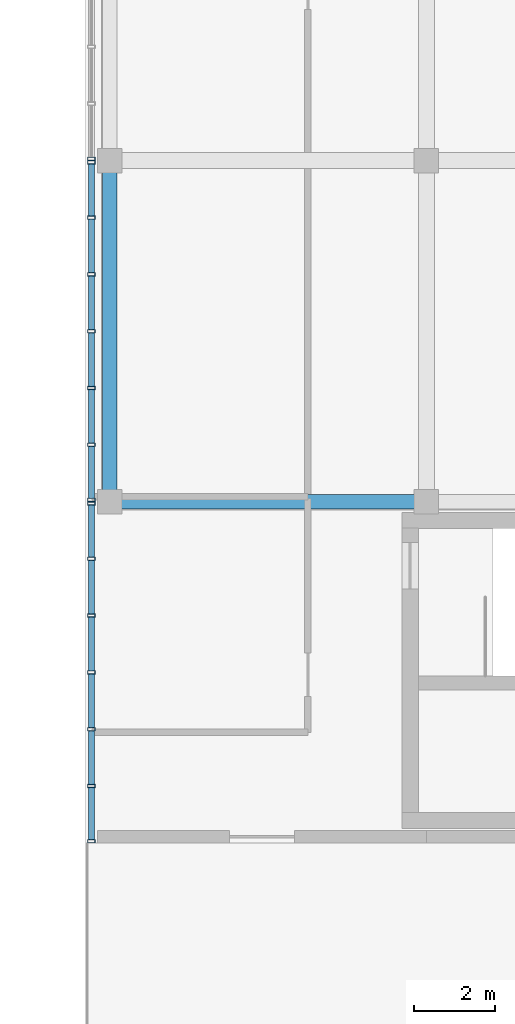
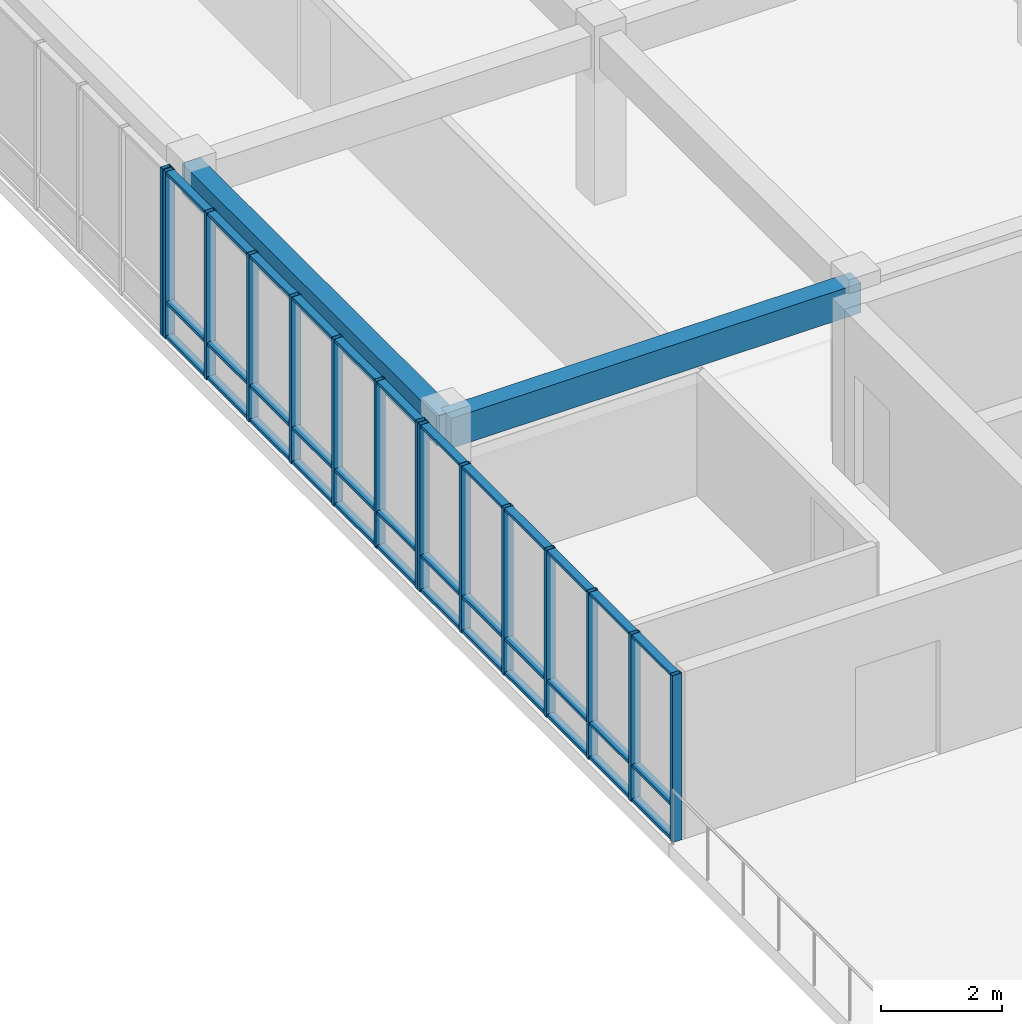
# One storey, part 26 of 144: 51 members, 2 beams, 3 elements without a shape of their own.
"""IFC4 building model written with IfcOpenShell, lengths in metres."""

from ifc_helpers import new_model, si_unit, direction, frame, origin, origin_2d, place, context, subcontext, project, spatial, rectangle, hollow_rectangle, extrude, material, layer, layer_set, material_profile, profile_set, type_object, element, aggregate, save


model = new_model("IFC4")

# Units and contexts
model_context = context("Model", 3, precision=1e-05, world=origin(), true_north=direction((0.0, 1.0)))
body_context = subcontext(model_context, "Body", "Model", "MODEL_VIEW")
ifc_project = project(units=[si_unit("LENGTHUNIT", "METRE"), si_unit("AREAUNIT", "SQUARE_METRE"), si_unit("VOLUMEUNIT", "CUBIC_METRE"), si_unit("PLANEANGLEUNIT", "RADIAN"), si_unit("MASSUNIT", "GRAM", prefix="KILO")], contexts=[model_context])

# Site, building, storey
site_placement = place(None, origin())
site = spatial("IfcSite", under=ifc_project, at=site_placement, CompositionType="ELEMENT")
building_placement = place(site_placement, origin())
building = spatial("IfcBuilding", under=site, at=building_placement, Name="Zayran Congress Hotel", CompositionType="ELEMENT")
storey_placement = place(building_placement, frame((0.0, 0.0, 19.199951171875)))
storey = spatial("IfcBuildingStorey", under=building, at=storey_placement, Name="L04", CompositionType="ELEMENT", Elevation=19.199951171875)

# Beams
ifc_material_1 = material(Name="Concrete C40/50", Category="concrete")
ifc_material_profile_1 = material_profile(ifc_material_1, rectangle(XDim=0.35009765625, YDim=0.60009765625, at=origin_2d()), Name="RC 350x600")
ifc_profile_set_1 = profile_set([ifc_material_profile_1], Name="Concrete C40/50")
beam_type = type_object("IfcBeamType", Name="TP-SP-01", PredefinedType="SPANDREL", material=ifc_profile_set_1)
beam_1_placement = place(storey_placement, frame((109.800048828125, 59.199951171875, 3.06005859375), z_axis=(1.0, 0.0, 0.0), x_axis=(0.0, 1.0, 0.0)))
element("IfcBeam", 1, at=beam_1_placement, inside=storey, type_object=beam_type, Name="BM-V4-L04-1560", PredefinedType="SPANDREL", context=body_context, shape_type="SweptSolid", body=[
    extrude(rectangle(XDim=0.35009765625, YDim=0.60009765625, at=origin_2d()), origin(), (0.0, 0.0, 1.0), 7.800048828125),
])
beam_2_placement = place(storey_placement, frame((109.800048828125, 59.199951171875, 3.06005859375), z_axis=(0.0, 1.0, 0.0), x_axis=(-1.0, 0.0, 0.0)))
element("IfcBeam", 2, at=beam_2_placement, inside=storey, type_object=beam_type, Name="BM-V4-L04-1572", PredefinedType="SPANDREL", context=body_context, shape_type="SweptSolid", body=[
    extrude(rectangle(XDim=0.35009765625, YDim=0.60009765625, at=origin_2d()), origin(), (0.0, 0.0, 1.0), 8.400146484375),
])

# Curtain wall, members
ifc_material_2 = material(Name="Anodised aluminium and low-E insulated glass", Category="aluminium")
ifc_layer_1 = layer(ifc_material_2, 0.179931640625)
ifc_layer_set_1 = layer_set([ifc_layer_1], Name="Anodised aluminium and low-E insulated glass")
curtain_wall_type_1 = type_object("IfcCurtainWallType", Name="CW-V4W-L04-CW-51-8395-3360", PredefinedType="USERDEFINED", material=ifc_layer_set_1)
curtain_wall_1_placement = place(storey_placement, origin())
curtain_wall_1 = element("IfcCurtainWall", 3, at=curtain_wall_1_placement, inside=storey, type_object=curtain_wall_type_1, Name="CW-V4W-L04-0", ObjectType="CURTAIN WALL", PredefinedType="USERDEFINED")
ifc_material_3 = material(Name="Anodised aluminium framing", Category="aluminium")
ifc_material_profile_2 = material_profile(ifc_material_3, hollow_rectangle(XDim=0.080078125, YDim=0.179931640625, WallThickness=0.0048828125, at=origin_2d()), Name="RHS 180x80x5")
ifc_profile_set_2 = profile_set([ifc_material_profile_2], Name="Anodised aluminium framing")
member_type_1 = type_object("IfcMemberType", Name="TP-CWM-01", PredefinedType="MULLION", material=ifc_profile_set_2)
member_1_placement = place(storey_placement, frame((109.35009765625, 59.155029296875, 0.0), z_axis=(0.0, 0.0, 1.0), x_axis=(0.0, 1.0, 0.0)))
member_1 = element("IfcMember", 4, at=member_1_placement, type_object=member_type_1, Name="CW-V4W-L04-0-M00", PredefinedType="MULLION", context=body_context, shape_type="SweptSolid", body=[
    extrude(hollow_rectangle(XDim=0.080078125, YDim=0.179931640625, WallThickness=0.0048828125, at=origin_2d()), origin(), (0.0, 0.0, 1.0), 3.360107421875),
])
member_2_placement = place(storey_placement, frame((109.35009765625, 57.7958984375, 0.0), z_axis=(0.0, 0.0, 1.0), x_axis=(0.0, 1.0, 0.0)))
member_2 = element("IfcMember", 5, at=member_2_placement, type_object=member_type_1, Name="CW-V4W-L04-0-M01", PredefinedType="MULLION", context=body_context, shape_type="SweptSolid", body=[
    extrude(hollow_rectangle(XDim=0.080078125, YDim=0.179931640625, WallThickness=0.0048828125, at=origin_2d()), origin(), (0.0, 0.0, 1.0), 3.360107421875),
])
member_3_placement = place(storey_placement, frame((109.35009765625, 56.396728515625, 0.0), z_axis=(0.0, 0.0, 1.0), x_axis=(0.0, 1.0, 0.0)))
member_3 = element("IfcMember", 6, at=member_3_placement, type_object=member_type_1, Name="CW-V4W-L04-0-M02", PredefinedType="MULLION", context=body_context, shape_type="SweptSolid", body=[
    extrude(hollow_rectangle(XDim=0.080078125, YDim=0.179931640625, WallThickness=0.0048828125, at=origin_2d()), origin(), (0.0, 0.0, 1.0), 3.360107421875),
])
member_4_placement = place(storey_placement, frame((109.35009765625, 54.99755859375, 0.0), z_axis=(0.0, 0.0, 1.0), x_axis=(0.0, 1.0, 0.0)))
member_4 = element("IfcMember", 7, at=member_4_placement, type_object=member_type_1, Name="CW-V4W-L04-0-M03", PredefinedType="MULLION", context=body_context, shape_type="SweptSolid", body=[
    extrude(hollow_rectangle(XDim=0.080078125, YDim=0.179931640625, WallThickness=0.0048828125, at=origin_2d()), origin(), (0.0, 0.0, 1.0), 3.360107421875),
])
member_5_placement = place(storey_placement, frame((109.35009765625, 53.598388671875, 0.0), z_axis=(0.0, 0.0, 1.0), x_axis=(0.0, 1.0, 0.0)))
member_5 = element("IfcMember", 8, at=member_5_placement, type_object=member_type_1, Name="CW-V4W-L04-0-M04", PredefinedType="MULLION", context=body_context, shape_type="SweptSolid", body=[
    extrude(hollow_rectangle(XDim=0.080078125, YDim=0.179931640625, WallThickness=0.0048828125, at=origin_2d()), origin(), (0.0, 0.0, 1.0), 3.360107421875),
])
member_6_placement = place(storey_placement, frame((109.35009765625, 52.19921875, 0.0), z_axis=(0.0, 0.0, 1.0), x_axis=(0.0, 1.0, 0.0)))
member_6 = element("IfcMember", 9, at=member_6_placement, type_object=member_type_1, Name="CW-V4W-L04-0-M05", PredefinedType="MULLION", context=body_context, shape_type="SweptSolid", body=[
    extrude(hollow_rectangle(XDim=0.080078125, YDim=0.179931640625, WallThickness=0.0048828125, at=origin_2d()), origin(), (0.0, 0.0, 1.0), 3.360107421875),
])
member_7_placement = place(storey_placement, frame((109.35009765625, 50.840087890625, 0.0), z_axis=(0.0, 0.0, 1.0), x_axis=(0.0, 1.0, 0.0)))
member_7 = element("IfcMember", 10, at=member_7_placement, type_object=member_type_1, Name="CW-V4W-L04-0-M06", PredefinedType="MULLION", context=body_context, shape_type="SweptSolid", body=[
    extrude(hollow_rectangle(XDim=0.080078125, YDim=0.179931640625, WallThickness=0.0048828125, at=origin_2d()), origin(), (0.0, 0.0, 1.0), 3.360107421875),
])

ifc_layer_2 = layer(ifc_material_2, 0.179931640625)
ifc_layer_set_2 = layer_set([ifc_layer_2], Name="Anodised aluminium and low-E insulated glass")
curtain_wall_type_2 = type_object("IfcCurtainWallType", Name="CW-V4W-L04-CW-52-8390-3360", PredefinedType="USERDEFINED", material=ifc_layer_set_2)
curtain_wall_2_placement = place(storey_placement, origin())
curtain_wall_2 = element("IfcCurtainWall", 11, at=curtain_wall_2_placement, inside=storey, type_object=curtain_wall_type_2, Name="CW-V4W-L04-1", ObjectType="CURTAIN WALL", PredefinedType="USERDEFINED")
member_8_placement = place(storey_placement, frame((109.35009765625, 67.554931640625, 0.0), z_axis=(0.0, 0.0, 1.0), x_axis=(0.0, 1.0, 0.0)))
member_8 = element("IfcMember", 12, at=member_8_placement, type_object=member_type_1, Name="CW-V4W-L04-1-M00", PredefinedType="MULLION", context=body_context, shape_type="SweptSolid", body=[
    extrude(hollow_rectangle(XDim=0.080078125, YDim=0.179931640625, WallThickness=0.0048828125, at=origin_2d()), origin(), (0.0, 0.0, 1.0), 3.360107421875),
])
member_9_placement = place(storey_placement, frame((109.35009765625, 66.19677734375, 0.0), z_axis=(0.0, 0.0, 1.0), x_axis=(0.0, 1.0, 0.0)))
member_9 = element("IfcMember", 13, at=member_9_placement, type_object=member_type_1, Name="CW-V4W-L04-1-M01", PredefinedType="MULLION", context=body_context, shape_type="SweptSolid", body=[
    extrude(hollow_rectangle(XDim=0.080078125, YDim=0.179931640625, WallThickness=0.0048828125, at=origin_2d()), origin(), (0.0, 0.0, 1.0), 3.360107421875),
])
member_10_placement = place(storey_placement, frame((109.35009765625, 64.79833984375, 0.0), z_axis=(0.0, 0.0, 1.0), x_axis=(0.0, 1.0, 0.0)))
member_10 = element("IfcMember", 14, at=member_10_placement, type_object=member_type_1, Name="CW-V4W-L04-1-M02", PredefinedType="MULLION", context=body_context, shape_type="SweptSolid", body=[
    extrude(hollow_rectangle(XDim=0.080078125, YDim=0.179931640625, WallThickness=0.0048828125, at=origin_2d()), origin(), (0.0, 0.0, 1.0), 3.360107421875),
])
member_11_placement = place(storey_placement, frame((109.35009765625, 63.39990234375, 0.0), z_axis=(0.0, 0.0, 1.0), x_axis=(0.0, 1.0, 0.0)))
member_11 = element("IfcMember", 15, at=member_11_placement, type_object=member_type_1, Name="CW-V4W-L04-1-M03", PredefinedType="MULLION", context=body_context, shape_type="SweptSolid", body=[
    extrude(hollow_rectangle(XDim=0.080078125, YDim=0.179931640625, WallThickness=0.0048828125, at=origin_2d()), origin(), (0.0, 0.0, 1.0), 3.360107421875),
])
member_12_placement = place(storey_placement, frame((109.35009765625, 62.001708984375, 0.0), z_axis=(0.0, 0.0, 1.0), x_axis=(0.0, 1.0, 0.0)))
member_12 = element("IfcMember", 16, at=member_12_placement, type_object=member_type_1, Name="CW-V4W-L04-1-M04", PredefinedType="MULLION", context=body_context, shape_type="SweptSolid", body=[
    extrude(hollow_rectangle(XDim=0.080078125, YDim=0.179931640625, WallThickness=0.0048828125, at=origin_2d()), origin(), (0.0, 0.0, 1.0), 3.360107421875),
])
member_13_placement = place(storey_placement, frame((109.35009765625, 60.603271484375, 0.0), z_axis=(0.0, 0.0, 1.0), x_axis=(0.0, 1.0, 0.0)))
member_13 = element("IfcMember", 17, at=member_13_placement, type_object=member_type_1, Name="CW-V4W-L04-1-M05", PredefinedType="MULLION", context=body_context, shape_type="SweptSolid", body=[
    extrude(hollow_rectangle(XDim=0.080078125, YDim=0.179931640625, WallThickness=0.0048828125, at=origin_2d()), origin(), (0.0, 0.0, 1.0), 3.360107421875),
])
member_14_placement = place(storey_placement, frame((109.35009765625, 59.2451171875, 0.0), z_axis=(0.0, 0.0, 1.0), x_axis=(0.0, 1.0, 0.0)))
member_14 = element("IfcMember", 18, at=member_14_placement, type_object=member_type_1, Name="CW-V4W-L04-1-M06", PredefinedType="MULLION", context=body_context, shape_type="SweptSolid", body=[
    extrude(hollow_rectangle(XDim=0.080078125, YDim=0.179931640625, WallThickness=0.0048828125, at=origin_2d()), origin(), (0.0, 0.0, 1.0), 3.360107421875),
])

# Curtain wall, member
ifc_layer_3 = layer(ifc_material_2, 0.179931640625)
ifc_layer_set_3 = layer_set([ifc_layer_3], Name="Anodised aluminium and low-E insulated glass")
curtain_wall_type_3 = type_object("IfcCurtainWallType", Name="CW-V4W-L04-CW-53-8390-3360", PredefinedType="USERDEFINED", material=ifc_layer_set_3)
curtain_wall_3_placement = place(storey_placement, origin())
curtain_wall_3 = element("IfcCurtainWall", 19, at=curtain_wall_3_placement, inside=storey, type_object=curtain_wall_type_3, Name="CW-V4W-L04-2", ObjectType="CURTAIN WALL", PredefinedType="USERDEFINED")
member_15_placement = place(storey_placement, frame((109.35009765625, 67.64501953125, 0.0), z_axis=(0.0, 0.0, 1.0), x_axis=(0.0, 1.0, 0.0)))
member_15 = element("IfcMember", 20, at=member_15_placement, type_object=member_type_1, Name="CW-V4W-L04-2-M06", PredefinedType="MULLION", context=body_context, shape_type="SweptSolid", body=[
    extrude(hollow_rectangle(XDim=0.080078125, YDim=0.179931640625, WallThickness=0.0048828125, at=origin_2d()), origin(), (0.0, 0.0, 1.0), 3.360107421875),
])
aggregate(curtain_wall_3, [member_15])

# Member
ifc_material_profile_3 = material_profile(ifc_material_3, hollow_rectangle(XDim=0.06005859375, YDim=0.14990234375, WallThickness=0.00390625, at=origin_2d()), Name="RHS 150x60x4")
ifc_profile_set_3 = profile_set([ifc_material_profile_3], Name="Anodised aluminium framing")
member_type_2 = type_object("IfcMemberType", Name="TP-CWT-01", PredefinedType="USERDEFINED", material=ifc_profile_set_3)
member_16_placement = place(storey_placement, frame((109.35009765625, 59.114990234375, 0.030029296875), z_axis=(0.0, -1.0, 0.0), x_axis=(0.0, 0.0, 1.0)))
member_16 = element("IfcMember", 21, at=member_16_placement, type_object=member_type_2, Name="CW-V4W-L04-0-T00-0", ObjectType="TRANSOM", PredefinedType="USERDEFINED", context=body_context, shape_type="SweptSolid", body=[
    extrude(hollow_rectangle(XDim=0.06005859375, YDim=0.14990234375, WallThickness=0.00390625, at=origin_2d()), origin(), (0.0, 0.0, 1.0), 1.279296875),
])

member_17_placement = place(storey_placement, frame((109.35009765625, 59.114990234375, 0.719970703125), z_axis=(0.0, -1.0, 0.0), x_axis=(0.0, 0.0, 1.0)))
member_17 = element("IfcMember", 22, at=member_17_placement, type_object=member_type_2, Name="CW-V4W-L04-0-T00-1", ObjectType="TRANSOM", PredefinedType="USERDEFINED", context=body_context, shape_type="SweptSolid", body=[
    extrude(hollow_rectangle(XDim=0.06005859375, YDim=0.14990234375, WallThickness=0.00390625, at=origin_2d()), origin(), (0.0, 0.0, 1.0), 1.279296875),
])

member_18_placement = place(storey_placement, frame((109.35009765625, 59.114990234375, 3.330078125), z_axis=(0.0, -1.0, 0.0), x_axis=(0.0, 0.0, 1.0)))
member_18 = element("IfcMember", 23, at=member_18_placement, type_object=member_type_2, Name="CW-V4W-L04-0-T00-2", ObjectType="TRANSOM", PredefinedType="USERDEFINED", context=body_context, shape_type="SweptSolid", body=[
    extrude(hollow_rectangle(XDim=0.06005859375, YDim=0.14990234375, WallThickness=0.00390625, at=origin_2d()), origin(), (0.0, 0.0, 1.0), 1.279296875),
])

member_19_placement = place(storey_placement, frame((109.35009765625, 57.755859375, 0.030029296875), z_axis=(0.0, -1.0, 0.0), x_axis=(0.0, 0.0, 1.0)))
member_19 = element("IfcMember", 24, at=member_19_placement, type_object=member_type_2, Name="CW-V4W-L04-0-T01-0", ObjectType="TRANSOM", PredefinedType="USERDEFINED", context=body_context, shape_type="SweptSolid", body=[
    extrude(hollow_rectangle(XDim=0.06005859375, YDim=0.14990234375, WallThickness=0.00390625, at=origin_2d()), origin(), (0.0, 0.0, 1.0), 1.319091796875),
])

member_20_placement = place(storey_placement, frame((109.35009765625, 57.755859375, 0.719970703125), z_axis=(0.0, -1.0, 0.0), x_axis=(0.0, 0.0, 1.0)))
member_20 = element("IfcMember", 25, at=member_20_placement, type_object=member_type_2, Name="CW-V4W-L04-0-T01-1", ObjectType="TRANSOM", PredefinedType="USERDEFINED", context=body_context, shape_type="SweptSolid", body=[
    extrude(hollow_rectangle(XDim=0.06005859375, YDim=0.14990234375, WallThickness=0.00390625, at=origin_2d()), origin(), (0.0, 0.0, 1.0), 1.319091796875),
])

member_21_placement = place(storey_placement, frame((109.35009765625, 57.755859375, 3.330078125), z_axis=(0.0, -1.0, 0.0), x_axis=(0.0, 0.0, 1.0)))
member_21 = element("IfcMember", 26, at=member_21_placement, type_object=member_type_2, Name="CW-V4W-L04-0-T01-2", ObjectType="TRANSOM", PredefinedType="USERDEFINED", context=body_context, shape_type="SweptSolid", body=[
    extrude(hollow_rectangle(XDim=0.06005859375, YDim=0.14990234375, WallThickness=0.00390625, at=origin_2d()), origin(), (0.0, 0.0, 1.0), 1.319091796875),
])

member_22_placement = place(storey_placement, frame((109.35009765625, 56.356689453125, 0.030029296875), z_axis=(0.0, -1.0, 0.0), x_axis=(0.0, 0.0, 1.0)))
member_22 = element("IfcMember", 27, at=member_22_placement, type_object=member_type_2, Name="CW-V4W-L04-0-T02-0", ObjectType="TRANSOM", PredefinedType="USERDEFINED", context=body_context, shape_type="SweptSolid", body=[
    extrude(hollow_rectangle(XDim=0.06005859375, YDim=0.14990234375, WallThickness=0.00390625, at=origin_2d()), origin(), (0.0, 0.0, 1.0), 1.319091796875),
])

member_23_placement = place(storey_placement, frame((109.35009765625, 56.356689453125, 0.719970703125), z_axis=(0.0, -1.0, 0.0), x_axis=(0.0, 0.0, 1.0)))
member_23 = element("IfcMember", 28, at=member_23_placement, type_object=member_type_2, Name="CW-V4W-L04-0-T02-1", ObjectType="TRANSOM", PredefinedType="USERDEFINED", context=body_context, shape_type="SweptSolid", body=[
    extrude(hollow_rectangle(XDim=0.06005859375, YDim=0.14990234375, WallThickness=0.00390625, at=origin_2d()), origin(), (0.0, 0.0, 1.0), 1.319091796875),
])

member_24_placement = place(storey_placement, frame((109.35009765625, 56.356689453125, 3.330078125), z_axis=(0.0, -1.0, 0.0), x_axis=(0.0, 0.0, 1.0)))
member_24 = element("IfcMember", 29, at=member_24_placement, type_object=member_type_2, Name="CW-V4W-L04-0-T02-2", ObjectType="TRANSOM", PredefinedType="USERDEFINED", context=body_context, shape_type="SweptSolid", body=[
    extrude(hollow_rectangle(XDim=0.06005859375, YDim=0.14990234375, WallThickness=0.00390625, at=origin_2d()), origin(), (0.0, 0.0, 1.0), 1.319091796875),
])

member_25_placement = place(storey_placement, frame((109.35009765625, 54.95751953125, 0.030029296875), z_axis=(0.0, -1.0, 0.0), x_axis=(0.0, 0.0, 1.0)))
member_25 = element("IfcMember", 30, at=member_25_placement, type_object=member_type_2, Name="CW-V4W-L04-0-T03-0", ObjectType="TRANSOM", PredefinedType="USERDEFINED", context=body_context, shape_type="SweptSolid", body=[
    extrude(hollow_rectangle(XDim=0.06005859375, YDim=0.14990234375, WallThickness=0.00390625, at=origin_2d()), origin(), (0.0, 0.0, 1.0), 1.3193359375),
])

member_26_placement = place(storey_placement, frame((109.35009765625, 54.95751953125, 0.719970703125), z_axis=(0.0, -1.0, 0.0), x_axis=(0.0, 0.0, 1.0)))
member_26 = element("IfcMember", 31, at=member_26_placement, type_object=member_type_2, Name="CW-V4W-L04-0-T03-1", ObjectType="TRANSOM", PredefinedType="USERDEFINED", context=body_context, shape_type="SweptSolid", body=[
    extrude(hollow_rectangle(XDim=0.06005859375, YDim=0.14990234375, WallThickness=0.00390625, at=origin_2d()), origin(), (0.0, 0.0, 1.0), 1.3193359375),
])

member_27_placement = place(storey_placement, frame((109.35009765625, 54.95751953125, 3.330078125), z_axis=(0.0, -1.0, 0.0), x_axis=(0.0, 0.0, 1.0)))
member_27 = element("IfcMember", 32, at=member_27_placement, type_object=member_type_2, Name="CW-V4W-L04-0-T03-2", ObjectType="TRANSOM", PredefinedType="USERDEFINED", context=body_context, shape_type="SweptSolid", body=[
    extrude(hollow_rectangle(XDim=0.06005859375, YDim=0.14990234375, WallThickness=0.00390625, at=origin_2d()), origin(), (0.0, 0.0, 1.0), 1.3193359375),
])

member_28_placement = place(storey_placement, frame((109.35009765625, 53.558349609375, 0.030029296875), z_axis=(0.0, -1.0, 0.0), x_axis=(0.0, 0.0, 1.0)))
member_28 = element("IfcMember", 33, at=member_28_placement, type_object=member_type_2, Name="CW-V4W-L04-0-T04-0", ObjectType="TRANSOM", PredefinedType="USERDEFINED", context=body_context, shape_type="SweptSolid", body=[
    extrude(hollow_rectangle(XDim=0.06005859375, YDim=0.14990234375, WallThickness=0.00390625, at=origin_2d()), origin(), (0.0, 0.0, 1.0), 1.319091796875),
])

member_29_placement = place(storey_placement, frame((109.35009765625, 53.558349609375, 0.719970703125), z_axis=(0.0, -1.0, 0.0), x_axis=(0.0, 0.0, 1.0)))
member_29 = element("IfcMember", 34, at=member_29_placement, type_object=member_type_2, Name="CW-V4W-L04-0-T04-1", ObjectType="TRANSOM", PredefinedType="USERDEFINED", context=body_context, shape_type="SweptSolid", body=[
    extrude(hollow_rectangle(XDim=0.06005859375, YDim=0.14990234375, WallThickness=0.00390625, at=origin_2d()), origin(), (0.0, 0.0, 1.0), 1.319091796875),
])

member_30_placement = place(storey_placement, frame((109.35009765625, 53.558349609375, 3.330078125), z_axis=(0.0, -1.0, 0.0), x_axis=(0.0, 0.0, 1.0)))
member_30 = element("IfcMember", 35, at=member_30_placement, type_object=member_type_2, Name="CW-V4W-L04-0-T04-2", ObjectType="TRANSOM", PredefinedType="USERDEFINED", context=body_context, shape_type="SweptSolid", body=[
    extrude(hollow_rectangle(XDim=0.06005859375, YDim=0.14990234375, WallThickness=0.00390625, at=origin_2d()), origin(), (0.0, 0.0, 1.0), 1.319091796875),
])

member_31_placement = place(storey_placement, frame((109.35009765625, 52.1591796875, 0.030029296875), z_axis=(0.0, -1.0, 0.0), x_axis=(0.0, 0.0, 1.0)))
member_31 = element("IfcMember", 36, at=member_31_placement, type_object=member_type_2, Name="CW-V4W-L04-0-T05-0", ObjectType="TRANSOM", PredefinedType="USERDEFINED", context=body_context, shape_type="SweptSolid", body=[
    extrude(hollow_rectangle(XDim=0.06005859375, YDim=0.14990234375, WallThickness=0.00390625, at=origin_2d()), origin(), (0.0, 0.0, 1.0), 1.279296875),
])

member_32_placement = place(storey_placement, frame((109.35009765625, 52.1591796875, 0.719970703125), z_axis=(0.0, -1.0, 0.0), x_axis=(0.0, 0.0, 1.0)))
member_32 = element("IfcMember", 37, at=member_32_placement, type_object=member_type_2, Name="CW-V4W-L04-0-T05-1", ObjectType="TRANSOM", PredefinedType="USERDEFINED", context=body_context, shape_type="SweptSolid", body=[
    extrude(hollow_rectangle(XDim=0.06005859375, YDim=0.14990234375, WallThickness=0.00390625, at=origin_2d()), origin(), (0.0, 0.0, 1.0), 1.279296875),
])

member_33_placement = place(storey_placement, frame((109.35009765625, 52.1591796875, 3.330078125), z_axis=(0.0, -1.0, 0.0), x_axis=(0.0, 0.0, 1.0)))
member_33 = element("IfcMember", 38, at=member_33_placement, type_object=member_type_2, Name="CW-V4W-L04-0-T05-2", ObjectType="TRANSOM", PredefinedType="USERDEFINED", context=body_context, shape_type="SweptSolid", body=[
    extrude(hollow_rectangle(XDim=0.06005859375, YDim=0.14990234375, WallThickness=0.00390625, at=origin_2d()), origin(), (0.0, 0.0, 1.0), 1.279296875),
])

aggregate(curtain_wall_1, [member_1, member_2, member_3, member_4, member_5, member_6, member_7, member_16, member_17, member_18, member_19, member_20, member_21, member_22, member_23, member_24, member_25, member_26, member_27, member_28, member_29, member_30, member_31, member_32, member_33])

member_34_placement = place(storey_placement, frame((109.35009765625, 67.514892578125, 0.030029296875), z_axis=(0.0, -1.0, 0.0), x_axis=(0.0, 0.0, 1.0)))
member_34 = element("IfcMember", 39, at=member_34_placement, type_object=member_type_2, Name="CW-V4W-L04-1-T00-0", ObjectType="TRANSOM", PredefinedType="USERDEFINED", context=body_context, shape_type="SweptSolid", body=[
    extrude(hollow_rectangle(XDim=0.06005859375, YDim=0.14990234375, WallThickness=0.00390625, at=origin_2d()), origin(), (0.0, 0.0, 1.0), 1.278076171875),
])

member_35_placement = place(storey_placement, frame((109.35009765625, 67.514892578125, 0.719970703125), z_axis=(0.0, -1.0, 0.0), x_axis=(0.0, 0.0, 1.0)))
member_35 = element("IfcMember", 40, at=member_35_placement, type_object=member_type_2, Name="CW-V4W-L04-1-T00-1", ObjectType="TRANSOM", PredefinedType="USERDEFINED", context=body_context, shape_type="SweptSolid", body=[
    extrude(hollow_rectangle(XDim=0.06005859375, YDim=0.14990234375, WallThickness=0.00390625, at=origin_2d()), origin(), (0.0, 0.0, 1.0), 1.278076171875),
])

member_36_placement = place(storey_placement, frame((109.35009765625, 67.514892578125, 3.330078125), z_axis=(0.0, -1.0, 0.0), x_axis=(0.0, 0.0, 1.0)))
member_36 = element("IfcMember", 41, at=member_36_placement, type_object=member_type_2, Name="CW-V4W-L04-1-T00-2", ObjectType="TRANSOM", PredefinedType="USERDEFINED", context=body_context, shape_type="SweptSolid", body=[
    extrude(hollow_rectangle(XDim=0.06005859375, YDim=0.14990234375, WallThickness=0.00390625, at=origin_2d()), origin(), (0.0, 0.0, 1.0), 1.278076171875),
])

member_37_placement = place(storey_placement, frame((109.35009765625, 66.15673828125, 0.030029296875), z_axis=(0.0, -1.0, 0.0), x_axis=(0.0, 0.0, 1.0)))
member_37 = element("IfcMember", 42, at=member_37_placement, type_object=member_type_2, Name="CW-V4W-L04-1-T01-0", ObjectType="TRANSOM", PredefinedType="USERDEFINED", context=body_context, shape_type="SweptSolid", body=[
    extrude(hollow_rectangle(XDim=0.06005859375, YDim=0.14990234375, WallThickness=0.00390625, at=origin_2d()), origin(), (0.0, 0.0, 1.0), 1.318359375),
])

member_38_placement = place(storey_placement, frame((109.35009765625, 66.15673828125, 0.719970703125), z_axis=(0.0, -1.0, 0.0), x_axis=(0.0, 0.0, 1.0)))
member_38 = element("IfcMember", 43, at=member_38_placement, type_object=member_type_2, Name="CW-V4W-L04-1-T01-1", ObjectType="TRANSOM", PredefinedType="USERDEFINED", context=body_context, shape_type="SweptSolid", body=[
    extrude(hollow_rectangle(XDim=0.06005859375, YDim=0.14990234375, WallThickness=0.00390625, at=origin_2d()), origin(), (0.0, 0.0, 1.0), 1.318359375),
])

member_39_placement = place(storey_placement, frame((109.35009765625, 66.15673828125, 3.330078125), z_axis=(0.0, -1.0, 0.0), x_axis=(0.0, 0.0, 1.0)))
member_39 = element("IfcMember", 44, at=member_39_placement, type_object=member_type_2, Name="CW-V4W-L04-1-T01-2", ObjectType="TRANSOM", PredefinedType="USERDEFINED", context=body_context, shape_type="SweptSolid", body=[
    extrude(hollow_rectangle(XDim=0.06005859375, YDim=0.14990234375, WallThickness=0.00390625, at=origin_2d()), origin(), (0.0, 0.0, 1.0), 1.318359375),
])

member_40_placement = place(storey_placement, frame((109.35009765625, 64.75830078125, 0.030029296875), z_axis=(0.0, -1.0, 0.0), x_axis=(0.0, 0.0, 1.0)))
member_40 = element("IfcMember", 45, at=member_40_placement, type_object=member_type_2, Name="CW-V4W-L04-1-T02-0", ObjectType="TRANSOM", PredefinedType="USERDEFINED", context=body_context, shape_type="SweptSolid", body=[
    extrude(hollow_rectangle(XDim=0.06005859375, YDim=0.14990234375, WallThickness=0.00390625, at=origin_2d()), origin(), (0.0, 0.0, 1.0), 1.318359375),
])

member_41_placement = place(storey_placement, frame((109.35009765625, 64.75830078125, 0.719970703125), z_axis=(0.0, -1.0, 0.0), x_axis=(0.0, 0.0, 1.0)))
member_41 = element("IfcMember", 46, at=member_41_placement, type_object=member_type_2, Name="CW-V4W-L04-1-T02-1", ObjectType="TRANSOM", PredefinedType="USERDEFINED", context=body_context, shape_type="SweptSolid", body=[
    extrude(hollow_rectangle(XDim=0.06005859375, YDim=0.14990234375, WallThickness=0.00390625, at=origin_2d()), origin(), (0.0, 0.0, 1.0), 1.318359375),
])

member_42_placement = place(storey_placement, frame((109.35009765625, 64.75830078125, 3.330078125), z_axis=(0.0, -1.0, 0.0), x_axis=(0.0, 0.0, 1.0)))
member_42 = element("IfcMember", 47, at=member_42_placement, type_object=member_type_2, Name="CW-V4W-L04-1-T02-2", ObjectType="TRANSOM", PredefinedType="USERDEFINED", context=body_context, shape_type="SweptSolid", body=[
    extrude(hollow_rectangle(XDim=0.06005859375, YDim=0.14990234375, WallThickness=0.00390625, at=origin_2d()), origin(), (0.0, 0.0, 1.0), 1.318359375),
])

member_43_placement = place(storey_placement, frame((109.35009765625, 63.360107421875, 0.030029296875), z_axis=(0.0, -1.0, 0.0), x_axis=(0.0, 0.0, 1.0)))
member_43 = element("IfcMember", 48, at=member_43_placement, type_object=member_type_2, Name="CW-V4W-L04-1-T03-0", ObjectType="TRANSOM", PredefinedType="USERDEFINED", context=body_context, shape_type="SweptSolid", body=[
    extrude(hollow_rectangle(XDim=0.06005859375, YDim=0.14990234375, WallThickness=0.00390625, at=origin_2d()), origin(), (0.0, 0.0, 1.0), 1.318359375),
])

member_44_placement = place(storey_placement, frame((109.35009765625, 63.360107421875, 0.719970703125), z_axis=(0.0, -1.0, 0.0), x_axis=(0.0, 0.0, 1.0)))
member_44 = element("IfcMember", 49, at=member_44_placement, type_object=member_type_2, Name="CW-V4W-L04-1-T03-1", ObjectType="TRANSOM", PredefinedType="USERDEFINED", context=body_context, shape_type="SweptSolid", body=[
    extrude(hollow_rectangle(XDim=0.06005859375, YDim=0.14990234375, WallThickness=0.00390625, at=origin_2d()), origin(), (0.0, 0.0, 1.0), 1.318359375),
])

member_45_placement = place(storey_placement, frame((109.35009765625, 63.360107421875, 3.330078125), z_axis=(0.0, -1.0, 0.0), x_axis=(0.0, 0.0, 1.0)))
member_45 = element("IfcMember", 50, at=member_45_placement, type_object=member_type_2, Name="CW-V4W-L04-1-T03-2", ObjectType="TRANSOM", PredefinedType="USERDEFINED", context=body_context, shape_type="SweptSolid", body=[
    extrude(hollow_rectangle(XDim=0.06005859375, YDim=0.14990234375, WallThickness=0.00390625, at=origin_2d()), origin(), (0.0, 0.0, 1.0), 1.318359375),
])

member_46_placement = place(storey_placement, frame((109.35009765625, 61.961669921875, 0.030029296875), z_axis=(0.0, -1.0, 0.0), x_axis=(0.0, 0.0, 1.0)))
member_46 = element("IfcMember", 51, at=member_46_placement, type_object=member_type_2, Name="CW-V4W-L04-1-T04-0", ObjectType="TRANSOM", PredefinedType="USERDEFINED", context=body_context, shape_type="SweptSolid", body=[
    extrude(hollow_rectangle(XDim=0.06005859375, YDim=0.14990234375, WallThickness=0.00390625, at=origin_2d()), origin(), (0.0, 0.0, 1.0), 1.318359375),
])

member_47_placement = place(storey_placement, frame((109.35009765625, 61.961669921875, 0.719970703125), z_axis=(0.0, -1.0, 0.0), x_axis=(0.0, 0.0, 1.0)))
member_47 = element("IfcMember", 52, at=member_47_placement, type_object=member_type_2, Name="CW-V4W-L04-1-T04-1", ObjectType="TRANSOM", PredefinedType="USERDEFINED", context=body_context, shape_type="SweptSolid", body=[
    extrude(hollow_rectangle(XDim=0.06005859375, YDim=0.14990234375, WallThickness=0.00390625, at=origin_2d()), origin(), (0.0, 0.0, 1.0), 1.318359375),
])

member_48_placement = place(storey_placement, frame((109.35009765625, 61.961669921875, 3.330078125), z_axis=(0.0, -1.0, 0.0), x_axis=(0.0, 0.0, 1.0)))
member_48 = element("IfcMember", 53, at=member_48_placement, type_object=member_type_2, Name="CW-V4W-L04-1-T04-2", ObjectType="TRANSOM", PredefinedType="USERDEFINED", context=body_context, shape_type="SweptSolid", body=[
    extrude(hollow_rectangle(XDim=0.06005859375, YDim=0.14990234375, WallThickness=0.00390625, at=origin_2d()), origin(), (0.0, 0.0, 1.0), 1.318359375),
])

member_49_placement = place(storey_placement, frame((109.35009765625, 60.563232421875, 0.030029296875), z_axis=(0.0, -1.0, 0.0), x_axis=(0.0, 0.0, 1.0)))
member_49 = element("IfcMember", 54, at=member_49_placement, type_object=member_type_2, Name="CW-V4W-L04-1-T05-0", ObjectType="TRANSOM", PredefinedType="USERDEFINED", context=body_context, shape_type="SweptSolid", body=[
    extrude(hollow_rectangle(XDim=0.06005859375, YDim=0.14990234375, WallThickness=0.00390625, at=origin_2d()), origin(), (0.0, 0.0, 1.0), 1.2783203125),
])

member_50_placement = place(storey_placement, frame((109.35009765625, 60.563232421875, 0.719970703125), z_axis=(0.0, -1.0, 0.0), x_axis=(0.0, 0.0, 1.0)))
member_50 = element("IfcMember", 55, at=member_50_placement, type_object=member_type_2, Name="CW-V4W-L04-1-T05-1", ObjectType="TRANSOM", PredefinedType="USERDEFINED", context=body_context, shape_type="SweptSolid", body=[
    extrude(hollow_rectangle(XDim=0.06005859375, YDim=0.14990234375, WallThickness=0.00390625, at=origin_2d()), origin(), (0.0, 0.0, 1.0), 1.2783203125),
])

member_51_placement = place(storey_placement, frame((109.35009765625, 60.563232421875, 3.330078125), z_axis=(0.0, -1.0, 0.0), x_axis=(0.0, 0.0, 1.0)))
member_51 = element("IfcMember", 56, at=member_51_placement, type_object=member_type_2, Name="CW-V4W-L04-1-T05-2", ObjectType="TRANSOM", PredefinedType="USERDEFINED", context=body_context, shape_type="SweptSolid", body=[
    extrude(hollow_rectangle(XDim=0.06005859375, YDim=0.14990234375, WallThickness=0.00390625, at=origin_2d()), origin(), (0.0, 0.0, 1.0), 1.2783203125),
])

aggregate(curtain_wall_2, [member_8, member_9, member_10, member_11, member_12, member_13, member_14, member_34, member_35, member_36, member_37, member_38, member_39, member_40, member_41, member_42, member_43, member_44, member_45, member_46, member_47, member_48, member_49, member_50, member_51])

save(model, "model.ifc")
